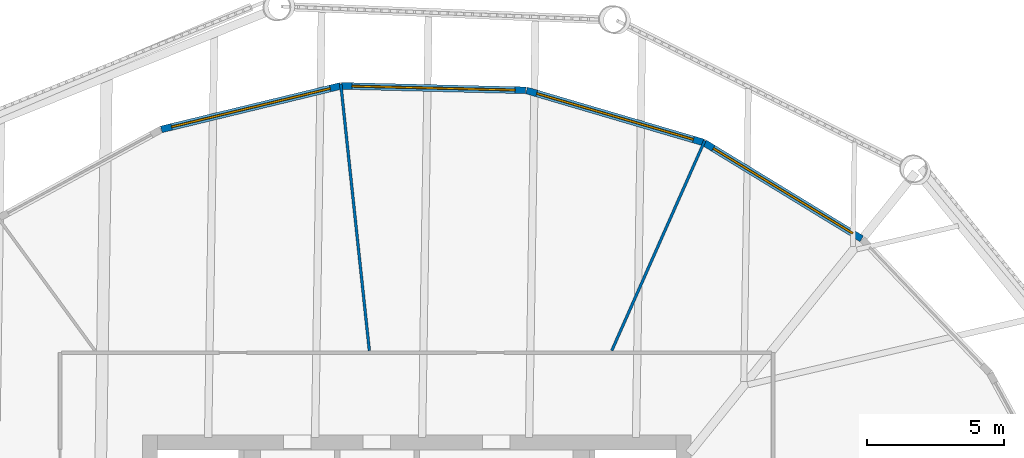
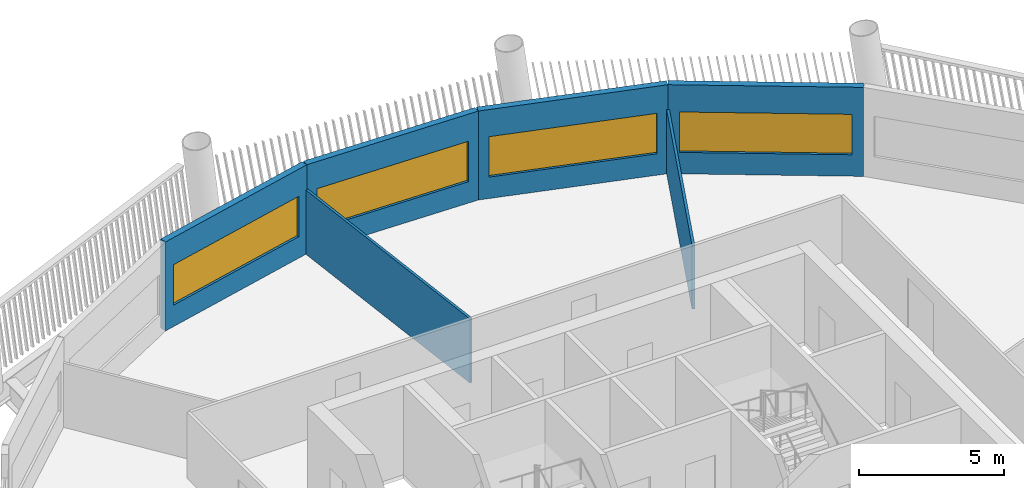
# One storey, part 7 of 15: 6 walls, 4 windows, 4 openings.
"""IFC4 building model written with IfcOpenShell, lengths in metres."""

from ifc_helpers import new_model, si_unit, direction, frame, frame_2d, origin, place, context, subcontext, project, spatial, rectangle, extrude, material, layer, layer_set, type_object, element, fill, save


model = new_model("IFC4")

# Units and contexts
model_context = context("Model", 3, precision=1e-05, world=origin(), true_north=direction((0.0, 1.0)))
body_context = subcontext(model_context, "Body", "Model", "MODEL_VIEW")
ifc_project = project(units=[si_unit("LENGTHUNIT", "METRE"), si_unit("AREAUNIT", "SQUARE_METRE"), si_unit("VOLUMEUNIT", "CUBIC_METRE"), si_unit("PLANEANGLEUNIT", "RADIAN"), si_unit("MASSUNIT", "GRAM", prefix="KILO")], contexts=[model_context])

# Site, building, storey
site_placement = place(None, origin())
site = spatial("IfcSite", under=ifc_project, at=site_placement, CompositionType="ELEMENT")
building_placement = place(site_placement, origin())
building = spatial("IfcBuilding", under=site, at=building_placement, Name="Tarsis Ring Headquarters", CompositionType="ELEMENT")
storey_placement = place(building_placement, frame((0.0, 0.0, 282.5)))
storey = spatial("IfcBuildingStorey", under=building, at=storey_placement, Name="L66", CompositionType="ELEMENT", Elevation=282.5)

# Walls
ifc_material_1 = material(Name="Gypsum board on steel studs", Category="steel")
ifc_layer_1 = layer(ifc_material_1, 0.10009765625)
ifc_layer_set_1 = layer_set([ifc_layer_1], Name="FL partition 100 unrated")
wall_type_1 = type_object("IfcWallType", Name="FL partition 100 unrated", PredefinedType="PARTITIONING", material=ifc_layer_set_1)
wall_1_placement = place(storey_placement, frame((-2.766357421875, 25.800048828125, 0.0), z_axis=(0.0, 0.0, 1.0), x_axis=(0.106624732916, -0.994299334371, 0.0)))
element("IfcWall", 1, at=wall_1_placement, inside=storey, type_object=wall_type_1, Name="Partition PW3", PredefinedType="PARTITIONING", context=body_context, shape_type="SweptSolid", body=[
    extrude(rectangle(XDim=9.786376953125, YDim=0.10009765625, at=frame_2d((4.89306640625, 0.0))), origin(), (0.0, 0.0, 1.0), 2.699951171875),
])
wall_2_placement = place(storey_placement, frame((7.115966796875, 16.0732421875, 0.0), z_axis=(0.0, 0.0, 1.0), x_axis=(0.404836275445, 0.914389189614, 0.0)))
element("IfcWall", 2, at=wall_2_placement, inside=storey, type_object=wall_type_1, Name="Partition PW3", PredefinedType="PARTITIONING", context=body_context, shape_type="SweptSolid", body=[
    extrude(rectangle(XDim=8.369873046875, YDim=0.10009765625, at=frame_2d((4.18505859375, 0.0))), origin(), (0.0, 0.0, 1.0), 2.699951171875),
])

# Wall, opening, window
ifc_material_2 = material(Name="Terracotta clad insulated panel wall", Category="masonry")
ifc_layer_2 = layer(ifc_material_2, 0.25)
ifc_layer_set_2 = layer_set([ifc_layer_2], Name="Facade wall terracotta panel 250")
wall_type_2 = type_object("IfcWallType", Name="Facade wall terracotta panel 250", PredefinedType="STANDARD", material=ifc_layer_set_2)
wall_3_placement = place(storey_placement, frame((16.226806640625, 20.150390625, 0.0), z_axis=(0.0, 0.0, 1.0), x_axis=(-0.853736710712, 0.520704934472, 0.0)))
wall_3 = element("IfcWall", 3, at=wall_3_placement, inside=storey, type_object=wall_type_2, Name="External wall L66-24", PredefinedType="STANDARD", context=body_context, shape_type="SweptSolid", body=[
    extrude(rectangle(XDim=6.7216796875, YDim=0.25, at=frame_2d((3.36083984375, 0.0))), origin(), (0.0, 0.0, 1.0), 3.739990234375),
])
opening_1_placement = place(wall_3_placement, frame((0.3857421875, 0.0, 0.89990234375)))
opening_1 = element("IfcOpeningElement", 4, at=opening_1_placement, cuts=wall_3, Name="Opening WN07", PredefinedType="OPENING", context=body_context, shape_type="SweptSolid", body=[
    extrude(rectangle(XDim=5.949951171875, YDim=1.699951171875, at=frame_2d((2.97509765625, 0.85009765625))), frame((0.0, 0.135009765625, 0.0), z_axis=(0.0, -1.0, 0.0), x_axis=(1.0, 0.0, 0.0)), (0.0, 0.0, 1.0), 0.27001953125),
])
ifc_material_3 = material(Name="Aluminium framed double glazing", Category="aluminium")
window_type = type_object("IfcWindowType", Name="Facade window 5950 x 1700", PartitioningType="SINGLE_PANEL", PredefinedType="WINDOW", material=ifc_material_3)
window_1_placement = place(opening_1_placement, origin())
window_1 = element("IfcWindow", 5, at=window_1_placement, inside=storey, type_object=window_type, Name="Window L66-24.1", OverallHeight=1.699951171875, OverallWidth=5.949951171875, PartitioningType="SINGLE_PANEL", PredefinedType="WINDOW", context=body_context, shape_type="SweptSolid", body=[
    extrude(rectangle(XDim=5.949951171875, YDim=1.699951171875, at=frame_2d((2.97509765625, 0.85009765625))), frame((0.0, 0.030029296875, 0.0), z_axis=(0.0, -1.0, 0.0), x_axis=(1.0, 0.0, 0.0)), (0.0, 0.0, 1.0), 0.06005859375),
])
fill(opening_1, window_1)

wall_4_placement = place(storey_placement, frame((10.45849609375, 23.66357421875, 0.0), z_axis=(0.0, 0.0, 1.0), x_axis=(-0.959412915013, 0.282005068228, 0.0)))
wall_4 = element("IfcWall", 6, at=wall_4_placement, inside=storey, type_object=wall_type_2, Name="External wall L66-25", PredefinedType="STANDARD", context=body_context, shape_type="SweptSolid", body=[
    extrude(rectangle(XDim=6.721435546875, YDim=0.25, at=frame_2d((3.36083984375, 0.0))), origin(), (0.0, 0.0, 1.0), 3.739990234375),
])
opening_2_placement = place(wall_4_placement, frame((0.3857421875, 0.0, 0.89990234375)))
opening_2 = element("IfcOpeningElement", 7, at=opening_2_placement, cuts=wall_4, Name="Opening WN07", PredefinedType="OPENING", context=body_context, shape_type="SweptSolid", body=[
    extrude(rectangle(XDim=5.949951171875, YDim=1.699951171875, at=frame_2d((2.97509765625, 0.85009765625))), frame((0.0, 0.135009765625, 0.0), z_axis=(0.0, -1.0, 0.0), x_axis=(1.0, 0.0, 0.0)), (0.0, 0.0, 1.0), 0.27001953125),
])
window_2_placement = place(opening_2_placement, origin())
window_2 = element("IfcWindow", 8, at=window_2_placement, inside=storey, type_object=window_type, Name="Window L66-25.1", OverallHeight=1.699951171875, OverallWidth=5.949951171875, PartitioningType="SINGLE_PANEL", PredefinedType="WINDOW", context=body_context, shape_type="SweptSolid", body=[
    extrude(rectangle(XDim=5.949951171875, YDim=1.699951171875, at=frame_2d((2.97509765625, 0.85009765625))), frame((0.0, 0.030029296875, 0.0), z_axis=(0.0, -1.0, 0.0), x_axis=(1.0, 0.0, 0.0)), (0.0, 0.0, 1.0), 0.06005859375),
])
fill(opening_2, window_2)

wall_5_placement = place(storey_placement, frame((3.9775390625, 25.564208984375, 0.0), z_axis=(0.0, 0.0, 1.0), x_axis=(-0.999709987603, 0.0240819577, 0.0)))
wall_5 = element("IfcWall", 9, at=wall_5_placement, inside=storey, type_object=wall_type_2, Name="External wall L66-26", PredefinedType="STANDARD", context=body_context, shape_type="SweptSolid", body=[
    extrude(rectangle(XDim=6.721435546875, YDim=0.25, at=frame_2d((3.36083984375, 0.0))), origin(), (0.0, 0.0, 1.0), 3.739990234375),
])
opening_3_placement = place(wall_5_placement, frame((0.3857421875, 0.0, 0.89990234375)))
opening_3 = element("IfcOpeningElement", 10, at=opening_3_placement, cuts=wall_5, Name="Opening WN07", PredefinedType="OPENING", context=body_context, shape_type="SweptSolid", body=[
    extrude(rectangle(XDim=5.949951171875, YDim=1.699951171875, at=frame_2d((2.97509765625, 0.85009765625))), frame((0.0, 0.135009765625, 0.0), z_axis=(0.0, -1.0, 0.0), x_axis=(1.0, 0.0, 0.0)), (0.0, 0.0, 1.0), 0.27001953125),
])
window_3_placement = place(opening_3_placement, origin())
window_3 = element("IfcWindow", 11, at=window_3_placement, inside=storey, type_object=window_type, Name="Window L66-26.1", OverallHeight=1.699951171875, OverallWidth=5.949951171875, PartitioningType="SINGLE_PANEL", PredefinedType="WINDOW", context=body_context, shape_type="SweptSolid", body=[
    extrude(rectangle(XDim=5.949951171875, YDim=1.699951171875, at=frame_2d((2.97509765625, 0.85009765625))), frame((0.0, 0.030029296875, 0.0), z_axis=(0.0, -1.0, 0.0), x_axis=(1.0, 0.0, 0.0)), (0.0, 0.0, 1.0), 0.06005859375),
])
fill(opening_3, window_3)

wall_6_placement = place(storey_placement, frame((-2.7744140625, 25.72265625, 0.0), z_axis=(0.0, 0.0, 1.0), x_axis=(-0.971879584466, -0.235478392424, 0.0)))
wall_6 = element("IfcWall", 12, at=wall_6_placement, inside=storey, type_object=wall_type_2, Name="External wall L66-27", PredefinedType="STANDARD", context=body_context, shape_type="SweptSolid", body=[
    extrude(rectangle(XDim=6.721435546875, YDim=0.25, at=frame_2d((3.36083984375, 0.0))), origin(), (0.0, 0.0, 1.0), 3.739990234375),
])
opening_4_placement = place(wall_6_placement, frame((0.3857421875, 0.0, 0.89990234375)))
opening_4 = element("IfcOpeningElement", 13, at=opening_4_placement, cuts=wall_6, Name="Opening WN07", PredefinedType="OPENING", context=body_context, shape_type="SweptSolid", body=[
    extrude(rectangle(XDim=5.949951171875, YDim=1.699951171875, at=frame_2d((2.97509765625, 0.85009765625))), frame((0.0, 0.135009765625, 0.0), z_axis=(0.0, -1.0, 0.0), x_axis=(1.0, 0.0, 0.0)), (0.0, 0.0, 1.0), 0.27001953125),
])
window_4_placement = place(opening_4_placement, origin())
window_4 = element("IfcWindow", 14, at=window_4_placement, inside=storey, type_object=window_type, Name="Window L66-27.1", OverallHeight=1.699951171875, OverallWidth=5.949951171875, PartitioningType="SINGLE_PANEL", PredefinedType="WINDOW", context=body_context, shape_type="SweptSolid", body=[
    extrude(rectangle(XDim=5.949951171875, YDim=1.699951171875, at=frame_2d((2.97509765625, 0.85009765625))), frame((0.0, 0.030029296875, 0.0), z_axis=(0.0, -1.0, 0.0), x_axis=(1.0, 0.0, 0.0)), (0.0, 0.0, 1.0), 0.06005859375),
])
fill(opening_4, window_4)

save(model, "model.ifc")
